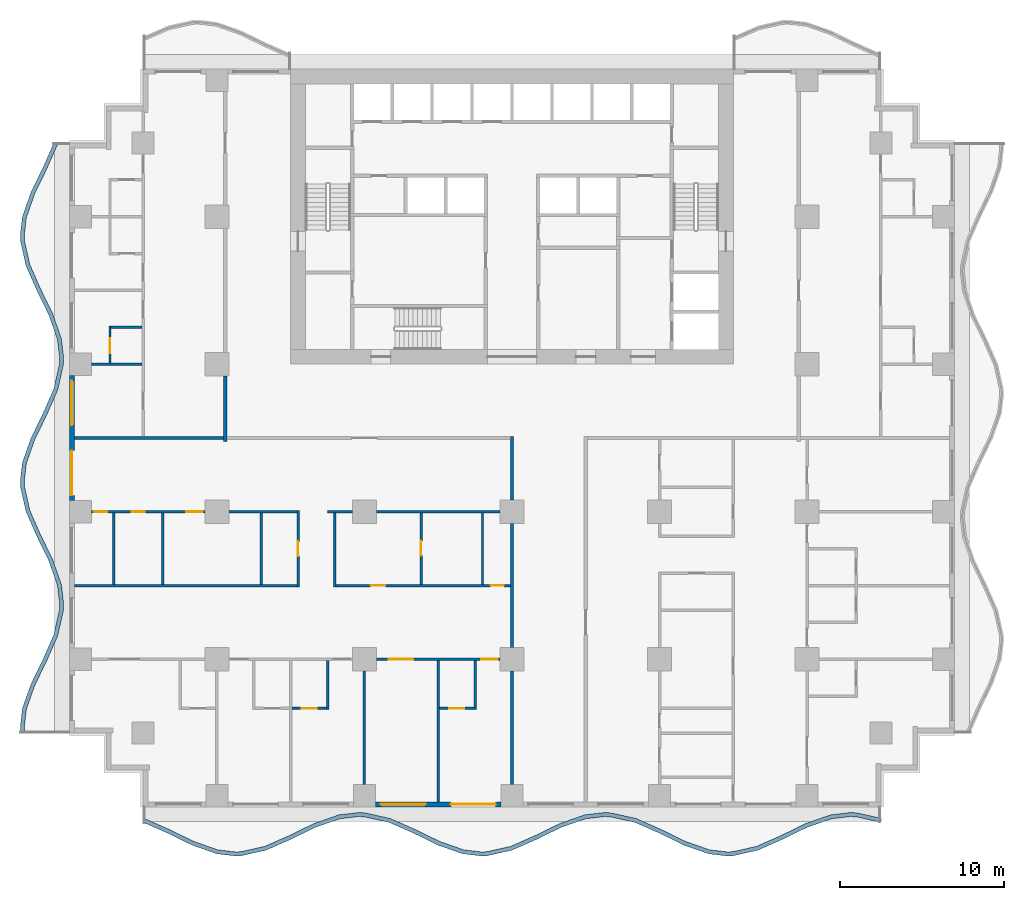
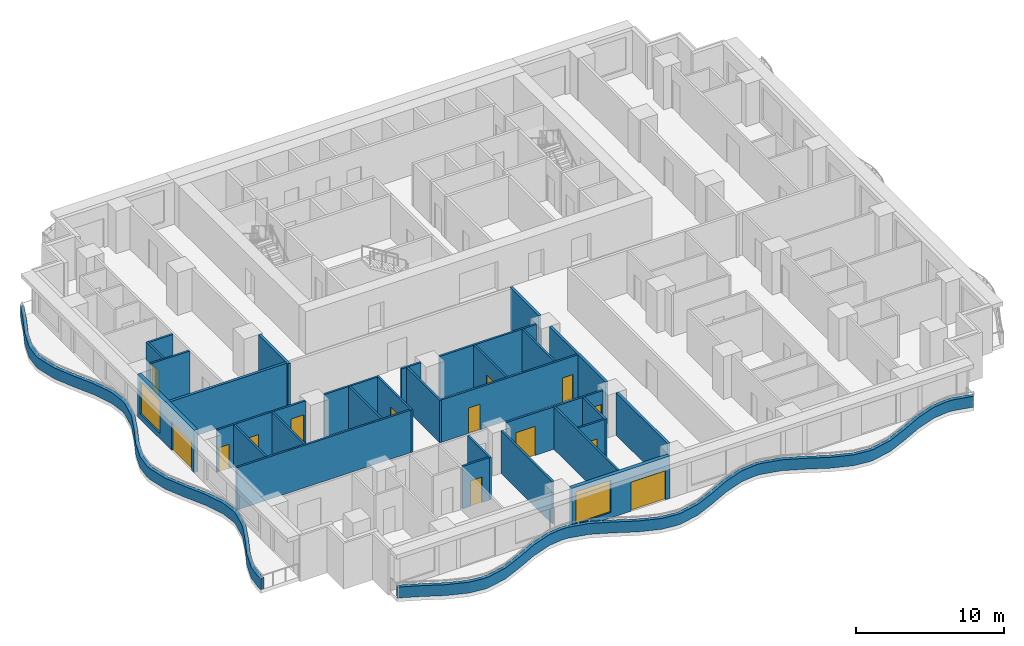
# One storey, part 2 of 14: 32 walls, 14 doors, 2 windows, 16 openings.
"""IFC4 building model written with IfcOpenShell, lengths in metres."""

import ifcopenshell
import ifcopenshell.guid

model = None  # the IFC model being written
_history = None  # IfcOwnerHistory: only IFC2X3 demands one
_inside = {}  # id of a spatial element -> (the spatial element, [elements in it])
_under = {}  # id of a project, library or spatial element -> (it, [spatial elements below it])
_declared = {}  # id of a project -> (the project, [libraries it declares])
_typed = {}  # id of a type object -> (the type object, [elements of that type])
_made_of = {}  # id of a material, layer set ... -> (it, [elements and type objects made of it])


def new_model(schema):
    """Start an empty IFC model of exactly this schema.

    Asked for "IFC4X3", IfcOpenShell would pick the latest addendum, in which some entities
    have other attributes; the version numbers below select the first issue.
    IFC2X3 requires an IfcOwnerHistory on every rooted entity: one is made here for all.
    """
    global model, _history
    if schema == "IFC4X3":
        model = ifcopenshell.file(schema_version=(4, 3, 0, 0))
    else:
        model = ifcopenshell.file(schema=schema)
    _inside.clear()
    _under.clear()
    _declared.clear()
    _typed.clear()
    _made_of.clear()
    _history = None
    if model.schema == "IFC2X3":
        org = make("IfcOrganization", Name="unknown")
        user = make(
            "IfcPersonAndOrganization",
            ThePerson=make("IfcPerson", FamilyName="unknown"),
            TheOrganization=org,
        )
        app = make(
            "IfcApplication",
            ApplicationDeveloper=org,
            Version="unknown",
            ApplicationFullName="unknown",
            ApplicationIdentifier="unknown",
        )
        _history = make(
            "IfcOwnerHistory",
            OwningUser=user,
            OwningApplication=app,
            ChangeAction="ADDED",
            CreationDate=0,
        )
    return model


def make(cls, **values):
    """One entity of the class cls with the attributes given. An attribute that is None is left unset."""
    return model.create_entity(
        cls, **{name: value for name, value in values.items() if value is not None}
    )


def rooted(cls, **values):
    """An entity with a GlobalId (a new one), such as an element, a storey or a relation."""
    return make(cls, GlobalId=ifcopenshell.guid.new(), OwnerHistory=_history, **values)


def si_unit(unit_type, name, prefix=None):
    """IfcSIUnit, for example si_unit("LENGTHUNIT", "METRE", prefix="MILLI")."""
    return make("IfcSIUnit", UnitType=unit_type, Prefix=prefix, Name=name)


def assignment(units):
    """IfcUnitAssignment: the units of a project."""
    return None if units is None else make("IfcUnitAssignment", Units=units)


def point(xyz):
    """IfcCartesianPoint."""
    return None if xyz is None else make("IfcCartesianPoint", Coordinates=xyz)


def direction(xyz):
    """IfcDirection."""
    return None if xyz is None else make("IfcDirection", DirectionRatios=xyz)


def frame(location, z_axis=None, x_axis=None):
    """IfcAxis2Placement3D, a coordinate frame: its origin and axes. An axis left out is left unset."""
    return make(
        "IfcAxis2Placement3D",
        Location=point(location),
        Axis=direction(z_axis),
        RefDirection=direction(x_axis),
    )


def frame_2d(location, x_axis=None):
    """IfcAxis2Placement2D, a coordinate frame in the plane: its origin and x axis."""
    return make(
        "IfcAxis2Placement2D", Location=point(location), RefDirection=direction(x_axis)
    )


def origin():
    """The frame at (0, 0, 0) with its axes left unset."""
    return frame((0.0, 0.0, 0.0))


def place(relative_to, where):
    """IfcLocalPlacement: puts the frame where relative to a parent placement (None: the world)."""
    return make(
        "IfcLocalPlacement", PlacementRelTo=relative_to, RelativePlacement=where
    )


def context(
    kind, dimensions, precision=None, world=None, true_north=None, identifier=None
):
    """IfcGeometricRepresentationContext, for example the 3D "Model" context."""
    return make(
        "IfcGeometricRepresentationContext",
        ContextIdentifier=identifier,
        ContextType=kind,
        CoordinateSpaceDimension=dimensions,
        Precision=precision,
        WorldCoordinateSystem=world,
        TrueNorth=true_north,
    )


def subcontext(parent, identifier, kind, view, scale=None):
    """IfcGeometricRepresentationSubContext, for example "Body" below "Model"."""
    return make(
        "IfcGeometricRepresentationSubContext",
        ContextIdentifier=identifier,
        ContextType=kind,
        ParentContext=parent,
        TargetScale=scale,
        TargetView=view,
    )


def project(units=None, contexts=None):
    """IfcProject with its units and contexts."""
    return rooted(
        "IfcProject",
        Name="project",
        RepresentationContexts=contexts,
        UnitsInContext=assignment(units),
    )


def spatial(cls, under=None, at=None, **own):
    """A site, building, storey or space (cls), placed at a placement, below another one or the project."""
    s = rooted(cls, ObjectPlacement=at, **own)
    if under is not None:
        _under.setdefault(under.id(), (under, []))[1].append(s)
    return s


def polyline(points):
    """IfcPolyline through the points."""
    return make("IfcPolyline", Points=[point(p) for p in points])


def profile(cls, at=None, kind="AREA", **sizes):
    """A parametric profile (cls). Its sizes go by their IFC names, for example OverallWidth=200.0."""
    return make(cls, ProfileType=kind, Position=at, **sizes)


def rectangle(**sizes):
    """IfcRectangleProfileDef."""
    return profile("IfcRectangleProfileDef", **sizes)


def outline(outer, holes=None, kind="AREA"):
    """IfcArbitraryClosedProfileDef: a profile drawn as a closed curve; with holes, ...WithVoids."""
    if holes is None:
        return make("IfcArbitraryClosedProfileDef", ProfileType=kind, OuterCurve=outer)
    return make(
        "IfcArbitraryProfileDefWithVoids",
        ProfileType=kind,
        OuterCurve=outer,
        InnerCurves=holes,
    )


def extrude(swept, where, along, depth):
    """IfcExtrudedAreaSolid: the profile swept, set in the frame where, extruded along a direction by depth."""
    return make(
        "IfcExtrudedAreaSolid",
        SweptArea=swept,
        Position=where,
        ExtrudedDirection=direction(along),
        Depth=depth,
    )


def shape(context_of_items, identifier, shape_type, items):
    """IfcShapeRepresentation: the items that make up one representation, for example the "Body"."""
    return make(
        "IfcShapeRepresentation",
        ContextOfItems=context_of_items,
        RepresentationIdentifier=identifier,
        RepresentationType=shape_type,
        Items=items,
    )


def material(Name=None, Category=None):
    """IfcMaterial."""
    return make("IfcMaterial", Name=Name, Category=Category)


def layer(
    of_material, thickness, ventilated=None, Name=None, Category=None, Priority=None
):
    """IfcMaterialLayer: one layer of a wall or slab, of a material (None: an air gap)."""
    return make(
        "IfcMaterialLayer",
        Material=of_material,
        LayerThickness=thickness,
        IsVentilated=ventilated,
        Name=Name,
        Category=Category,
        Priority=Priority,
    )


def layer_set(layers, Name=None):
    """IfcMaterialLayerSet."""
    return make("IfcMaterialLayerSet", MaterialLayers=layers, LayerSetName=Name)


def made_of(thing, what):
    """Note that an element or type object is made of a material, layer set ...; save() writes the relation."""
    if what is not None:
        _made_of.setdefault(what.id(), (what, []))[1].append(thing)
    return thing


def type_object(cls, material=None, **own):
    """A type object (cls), such as IfcWallType, which elements share."""
    return made_of(rooted(cls, **own), material)


def element(
    cls,
    number,
    at=None,
    inside=None,
    cuts=None,
    type_object=None,
    material=None,
    context=None,
    identifier="Body",
    shape_type=None,
    held_by="IfcProductDefinitionShape",
    body=None,
    shapes=None,
    **own,
):
    """One element of the class cls, such as IfcWall. Its Tag is "e" and its number.

    at: its placement. inside: the storey or other place that contains it. cuts: it is an
    opening in that element (IfcRelVoidsElement). A single representation is given by context,
    identifier, shape_type and body (its items); several are given by shapes. held_by: the class
    of the entity that holds the representations. save() writes the other relations.
    """
    e = rooted(cls, Tag="e%d" % number, ObjectPlacement=at, **own)
    if body is not None:
        shapes = [shape(context, identifier, shape_type, body)]
    if shapes is not None:
        e.Representation = make(held_by, Representations=shapes)
    if inside is not None:
        _inside.setdefault(inside.id(), (inside, []))[1].append(e)
    if cuts is not None:
        rooted(
            "IfcRelVoidsElement", RelatingBuildingElement=cuts, RelatedOpeningElement=e
        )
    if type_object is not None:
        _typed.setdefault(type_object.id(), (type_object, []))[1].append(e)
    return made_of(e, material)


def fill(opening, filler):
    """IfcRelFillsElement: the door or window that sits in an opening."""
    return rooted(
        "IfcRelFillsElement",
        RelatingOpeningElement=opening,
        RelatedBuildingElement=filler,
    )


def aggregate(whole, parts):
    """IfcRelAggregates: a whole, such as a stair, and the parts it consists of."""
    return rooted("IfcRelAggregates", RelatingObject=whole, RelatedObjects=parts)


def save(model, path):
    """Write the relations noted so far, then the file.

    IfcRelAggregates (storeys below a building ...), IfcRelContainedInSpatialStructure (elements
    in a storey), IfcRelDefinesByType, IfcRelAssociatesMaterial and IfcRelDeclares: one each for
    every whole, place, type object, material and project.
    """
    for whole, parts in _under.values():
        aggregate(whole, parts)
    for where, things in _inside.values():
        rooted(
            "IfcRelContainedInSpatialStructure",
            RelatedElements=things,
            RelatingStructure=where,
        )
    for kind, things in _typed.values():
        rooted("IfcRelDefinesByType", RelatedObjects=things, RelatingType=kind)
    for what, things in _made_of.values():
        rooted("IfcRelAssociatesMaterial", RelatedObjects=things, RelatingMaterial=what)
    for by, libraries in _declared.values():
        rooted("IfcRelDeclares", RelatingContext=by, RelatedDefinitions=libraries)
    model.write(path)


model = new_model("IFC4")

# Units and contexts
model_context = context("Model", 3, precision=1e-05, world=origin(), true_north=direction((0.0, 1.0)))
body_context = subcontext(model_context, "Body", "Model", "MODEL_VIEW")
ifc_project = project(units=[si_unit("LENGTHUNIT", "METRE"), si_unit("AREAUNIT", "SQUARE_METRE"), si_unit("VOLUMEUNIT", "CUBIC_METRE"), si_unit("PLANEANGLEUNIT", "RADIAN"), si_unit("MASSUNIT", "GRAM", prefix="KILO")], contexts=[model_context])

# Site, building, storey
site_placement = place(None, origin())
site = spatial("IfcSite", under=ifc_project, at=site_placement, CompositionType="ELEMENT")
building_placement = place(site_placement, origin())
building = spatial("IfcBuilding", under=site, at=building_placement, Name="Orbiselva Terraces", CompositionType="ELEMENT")
storey_placement = place(building_placement, frame((0.0, 0.0, 73.2)))
storey = spatial("IfcBuildingStorey", under=building, at=storey_placement, Name="L18", CompositionType="ELEMENT", Elevation=73.2)

# Walls
ifc_material_1 = material(Name="Concrete C40/50", Category="concrete")
ifc_layer_1 = layer(ifc_material_1, 0.25)
ifc_layer_set_1 = layer_set([ifc_layer_1], Name="Concrete C40/50")
wall_type_1 = type_object("IfcWallType", Name="ENV-PLANTER-250x900", PredefinedType="USERDEFINED", material=ifc_layer_set_1)
wall_1_placement = place(storey_placement, origin())
element("IfcWall", 1, at=wall_1_placement, inside=storey, type_object=wall_type_1, Name="Balcony planter L18 S", ObjectType="PLANTER", PredefinedType="USERDEFINED", context=body_context, shape_type="SweptSolid", body=[
    extrude(outline(polyline([(-22.5, -23.451472), (-21.0, -24.112279), (-19.5, -24.844789), (-18.0, -25.369208), (-16.875, -25.5), (-16.5, -25.485226), (-15.0, -25.148528), (-13.5, -24.487721), (-12.0, -23.755211), (-10.5, -23.230792), (-9.375, -23.1), (-9.0, -23.114774), (-7.5, -23.451472), (-6.0, -24.112279), (-4.5, -24.844789), (-3.0, -25.369208), (-1.875, -25.5), (-1.5, -25.485226), (0.0, -25.148528), (1.5, -24.487721), (3.0, -23.755211), (4.5, -23.230792), (5.625, -23.1), (6.0, -23.114774), (7.5, -23.451472), (9.0, -24.112279), (10.5, -24.844789), (12.0, -25.369208), (13.125, -25.5), (13.5, -25.485226), (15.0, -25.148528), (16.5, -24.487721), (18.0, -23.755211), (19.5, -23.230792), (20.625, -23.1), (21.0, -23.114774), (22.5, -23.451472), (22.554754, -23.207542), (21.032565, -22.865863), (20.615428, -22.849429), (19.443629, -22.985662), (17.90356, -23.524089), (16.394714, -24.260919), (14.921492, -24.90993), (13.467435, -25.236315), (13.134572, -25.249429), (12.056371, -25.124078), (10.59644, -24.613667), (9.105286, -23.885477), (7.578508, -23.212874), (6.032565, -22.865863), (5.615428, -22.849429), (4.443629, -22.985662), (2.90356, -23.524089), (1.394714, -24.260919), (-0.078508, -24.90993), (-1.532565, -25.236315), (-1.865428, -25.249429), (-2.943629, -25.124078), (-4.40356, -24.613667), (-5.894714, -23.885477), (-7.421492, -23.212874), (-8.967435, -22.865863), (-9.384572, -22.849429), (-10.556371, -22.985662), (-12.09644, -23.524089), (-13.605286, -24.260919), (-15.078508, -24.90993), (-16.532565, -25.236315), (-16.865428, -25.249429), (-17.943629, -25.124078), (-19.40356, -24.613667), (-20.894714, -23.885477), (-22.399212, -23.222689), (-22.5, -23.451472)])), origin(), (0.0, 0.0, 1.0), 0.9),
])
wall_2_placement = place(storey_placement, origin())
element("IfcWall", 2, at=wall_2_placement, inside=storey, type_object=wall_type_1, Name="Balcony planter L18 W", ObjectType="PLANTER", PredefinedType="USERDEFINED", context=body_context, shape_type="SweptSolid", body=[
    extrude(outline(polyline([(-27.951472, 18.0), (-28.612279, 16.5), (-29.344789, 15.0), (-29.869208, 13.5), (-30.0, 12.375), (-29.985226, 12.0), (-29.648528, 10.5), (-28.987721, 9.0), (-28.255211, 7.5), (-27.730792, 6.0), (-27.6, 4.875), (-27.614774, 4.5), (-27.951472, 3.0), (-28.612279, 1.5), (-29.344789, 0.0), (-29.869208, -1.5), (-30.0, -2.625), (-29.985226, -3.0), (-29.648528, -4.5), (-28.987721, -6.0), (-28.255211, -7.5), (-27.730792, -9.0), (-27.6, -10.125), (-27.614774, -10.5), (-27.951472, -12.0), (-28.612279, -13.5), (-29.344789, -15.0), (-29.869208, -16.5), (-30.0, -17.625), (-29.985226, -18.0), (-29.73542, -17.990158), (-29.749429, -17.634572), (-29.624078, -16.556371), (-29.113667, -15.09644), (-28.385477, -13.605286), (-27.712874, -12.078508), (-27.365863, -10.532565), (-27.349429, -10.115428), (-27.485662, -8.943629), (-28.024089, -7.40356), (-28.760919, -5.894714), (-29.40993, -4.421492), (-29.736315, -2.967435), (-29.749429, -2.634572), (-29.624078, -1.556371), (-29.113667, -0.09644), (-28.385477, 1.394714), (-27.712874, 2.921492), (-27.365863, 4.467435), (-27.349429, 4.884572), (-27.485662, 6.056371), (-28.024089, 7.59644), (-28.760919, 9.105286), (-29.40993, 10.578508), (-29.736315, 12.032565), (-29.749429, 12.365428), (-29.624078, 13.443629), (-29.113667, 14.90356), (-28.385477, 16.394714), (-27.722689, 17.899212), (-27.951472, 18.0)])), origin(), (0.0, 0.0, 1.0), 0.9),
])

# Wall, openings, door, window
ifc_material_2 = material(Name="Terracotta cladding on masonry backing", Category="masonry")
ifc_layer_2 = layer(ifc_material_2, 0.3)
ifc_layer_set_2 = layer_set([ifc_layer_2], Name="Terracotta cladding on masonry backing")
wall_type_2 = type_object("IfcWallType", Name="ENV-WALL-TERRACOTTA-300", PredefinedType="SOLIDWALL", material=ifc_layer_set_2)
wall_3_placement = place(storey_placement, frame((-0.675, -22.35, 0.0), z_axis=(0.0, 0.0, 1.0), x_axis=(-1.0, 0.0, 0.0)))
wall_3 = element("IfcWall", 3, at=wall_3_placement, inside=storey, type_object=wall_type_2, Name="Facade wall L18 S", PredefinedType="SOLIDWALL", context=body_context, shape_type="SweptSolid", body=[
    extrude(rectangle(XDim=7.65, YDim=0.3, at=frame_2d((3.825, 0.0))), origin(), (0.0, 0.0, 1.0), 3.5),
])
opening_1_placement = place(wall_3_placement, frame((4.6, 0.0, 0.45)))
opening_1 = element("IfcOpeningElement", 4, at=opening_1_placement, cuts=wall_3, Name="Opening WN5", PredefinedType="OPENING", context=body_context, shape_type="SweptSolid", body=[
    extrude(rectangle(XDim=2.725, YDim=2.65, at=frame_2d((1.3625, 1.325))), frame((0.0, 0.16, 0.0), z_axis=(0.0, -1.0, 0.0), x_axis=(1.0, 0.0, 0.0)), (0.0, 0.0, 1.0), 0.32),
])
opening_2_placement = place(wall_3_placement, frame((0.325, 0.0, 0.0)))
opening_2 = element("IfcOpeningElement", 5, at=opening_2_placement, cuts=wall_3, Name="Opening Z2-A-E02", PredefinedType="OPENING", context=body_context, shape_type="SweptSolid", body=[
    extrude(rectangle(XDim=2.725, YDim=2.4, at=frame_2d((1.3625, 1.2))), frame((0.0, 0.16, 0.0), z_axis=(0.0, -1.0, 0.0), x_axis=(1.0, 0.0, 0.0)), (0.0, 0.0, 1.0), 0.32),
])
ifc_material_3 = material(Name="Clear low-e glazing in aluminium frame", Category="aluminium")
door_type_1 = type_object("IfcDoorType", Name="BALCONY DOOR 2725 X 2400", OperationType="DOUBLE_DOOR_SLIDING", PredefinedType="DOOR", material=ifc_material_3)
door_1_placement = place(opening_2_placement, origin())
door_1 = element("IfcDoor", 6, at=door_1_placement, inside=storey, type_object=door_type_1, Name="Z2-A-E02", OperationType="SINGLE_SWING_LEFT", OverallHeight=2.4, OverallWidth=2.725, PredefinedType="DOOR", context=body_context, shape_type="SweptSolid", body=[
    extrude(rectangle(XDim=2.725, YDim=2.4, at=frame_2d((1.3625, 1.2))), frame((0.0, 0.025, 0.0), z_axis=(0.0, -1.0, 0.0), x_axis=(1.0, 0.0, 0.0)), (0.0, 0.0, 1.0), 0.05),
])
fill(opening_2, door_1)
window_type = type_object("IfcWindowType", Name="WINDOW 2725 X 2650 S450", PartitioningType="TRIPLE_PANEL_VERTICAL", PredefinedType="WINDOW", material=ifc_material_3)
window_1_placement = place(opening_1_placement, origin())
window_1 = element("IfcWindow", 7, at=window_1_placement, inside=storey, type_object=window_type, Name="Window L18 S", OverallHeight=2.65, OverallWidth=2.725, PartitioningType="SINGLE_PANEL", PredefinedType="WINDOW", context=body_context, shape_type="SweptSolid", body=[
    extrude(rectangle(XDim=2.725, YDim=2.65, at=frame_2d((1.3625, 1.325))), frame((0.0, 0.03, 0.0), z_axis=(0.0, -1.0, 0.0), x_axis=(1.0, 0.0, 0.0)), (0.0, 0.0, 1.0), 0.06),
])
fill(opening_1, window_1)

wall_4_placement = place(storey_placement, frame((-26.85, -3.825, 0.0), z_axis=(0.0, 0.0, 1.0), x_axis=(0.0, 1.0, 0.0)))
wall_4 = element("IfcWall", 8, at=wall_4_placement, inside=storey, type_object=wall_type_2, Name="Facade wall L18 W", PredefinedType="SOLIDWALL", context=body_context, shape_type="SweptSolid", body=[
    extrude(rectangle(XDim=7.65, YDim=0.3, at=frame_2d((3.825, 0.0))), origin(), (0.0, 0.0, 1.0), 3.5),
])
opening_3_placement = place(wall_4_placement, frame((4.6, 0.0, 0.45)))
opening_3 = element("IfcOpeningElement", 9, at=opening_3_placement, cuts=wall_4, Name="Opening WN5", PredefinedType="OPENING", context=body_context, shape_type="SweptSolid", body=[
    extrude(rectangle(XDim=2.725, YDim=2.65, at=frame_2d((1.3625, 1.325))), frame((0.0, 0.16, 0.0), z_axis=(0.0, -1.0, 0.0), x_axis=(1.0, 0.0, 0.0)), (0.0, 0.0, 1.0), 0.32),
])
opening_4_placement = place(wall_4_placement, frame((0.325, 0.0, 0.0)))
opening_4 = element("IfcOpeningElement", 10, at=opening_4_placement, cuts=wall_4, Name="Opening Z2-A-E11", PredefinedType="OPENING", context=body_context, shape_type="SweptSolid", body=[
    extrude(rectangle(XDim=2.725, YDim=2.4, at=frame_2d((1.3625, 1.2))), frame((0.0, 0.16, 0.0), z_axis=(0.0, -1.0, 0.0), x_axis=(1.0, 0.0, 0.0)), (0.0, 0.0, 1.0), 0.32),
])
door_2_placement = place(opening_4_placement, origin())
door_2 = element("IfcDoor", 11, at=door_2_placement, inside=storey, type_object=door_type_1, Name="Z2-A-E11", OperationType="SINGLE_SWING_LEFT", OverallHeight=2.4, OverallWidth=2.725, PredefinedType="DOOR", context=body_context, shape_type="SweptSolid", body=[
    extrude(rectangle(XDim=2.725, YDim=2.4, at=frame_2d((1.3625, 1.2))), frame((0.0, 0.025, 0.0), z_axis=(0.0, -1.0, 0.0), x_axis=(1.0, 0.0, 0.0)), (0.0, 0.0, 1.0), 0.05),
])
fill(opening_4, door_2)
window_2_placement = place(opening_3_placement, origin())
window_2 = element("IfcWindow", 12, at=window_2_placement, inside=storey, type_object=window_type, Name="Window L18 W", OverallHeight=2.65, OverallWidth=2.725, PartitioningType="SINGLE_PANEL", PredefinedType="WINDOW", context=body_context, shape_type="SweptSolid", body=[
    extrude(rectangle(XDim=2.725, YDim=2.65, at=frame_2d((1.3625, 1.325))), frame((0.0, 0.03, 0.0), z_axis=(0.0, -1.0, 0.0), x_axis=(1.0, 0.0, 0.0)), (0.0, 0.0, 1.0), 0.06),
])
fill(opening_3, window_2)

# Walls
ifc_material_4 = material(Name="Plasterboard on steel stud partition", Category="steel")
ifc_layer_3 = layer(ifc_material_4, 0.2)
ifc_layer_set_3 = layer_set([ifc_layer_3], Name="Plasterboard on steel stud partition")
wall_type_3 = type_object("IfcWallType", Name="UNIT-ENTRANCE-WALL-200", PredefinedType="PARTITIONING", material=ifc_layer_set_3)
wall_5_placement = place(storey_placement, frame((-17.5, -0.2, 0.0), z_axis=(0.0, 0.0, 1.0), x_axis=(0.0, 1.0, 0.0)))
element("IfcWall", 13, at=wall_5_placement, inside=storey, type_object=wall_type_3, Name="PARTITION L18-051", PredefinedType="PARTITIONING", context=body_context, shape_type="SweptSolid", body=[
    extrude(rectangle(XDim=3.975, YDim=0.2, at=frame_2d((1.9875, 0.0))), origin(), (0.0, 0.0, 1.0), 3.5),
])
wall_6_placement = place(storey_placement, frame((0.0, -21.15, 0.0), z_axis=(0.0, 0.0, 1.0), x_axis=(0.0, 1.0, 0.0)))
element("IfcWall", 14, at=wall_6_placement, inside=storey, type_object=wall_type_3, Name="PARTITION L18-065", PredefinedType="PARTITIONING", context=body_context, shape_type="SweptSolid", body=[
    extrude(rectangle(XDim=6.925, YDim=0.2, at=frame_2d((3.4625, 0.0))), origin(), (0.0, 0.0, 1.0), 3.5),
])
wall_7_placement = place(storey_placement, frame((0.0, -12.775, 0.0), z_axis=(0.0, 0.0, 1.0), x_axis=(0.0, 1.0, 0.0)))
element("IfcWall", 15, at=wall_7_placement, inside=storey, type_object=wall_type_3, Name="PARTITION L18-066", PredefinedType="PARTITIONING", context=body_context, shape_type="SweptSolid", body=[
    extrude(rectangle(XDim=7.55, YDim=0.2, at=frame_2d((3.775, 0.0))), origin(), (0.0, 0.0, 1.0), 3.5),
])
wall_8_placement = place(storey_placement, frame((0.0, -3.775, 0.0), z_axis=(0.0, 0.0, 1.0), x_axis=(0.0, 1.0, 0.0)))
element("IfcWall", 16, at=wall_8_placement, inside=storey, type_object=wall_type_3, Name="PARTITION L18-067", PredefinedType="PARTITIONING", context=body_context, shape_type="SweptSolid", body=[
    extrude(rectangle(XDim=3.875, YDim=0.2, at=frame_2d((1.9375, 0.0))), origin(), (0.0, 0.0, 1.0), 3.5),
])

# Wall, opening, door
ifc_layer_4 = layer(ifc_material_4, 0.15)
ifc_layer_set_4 = layer_set([ifc_layer_4], Name="Plasterboard on steel stud partition")
wall_type_4 = type_object("IfcWallType", Name="UNIT-PARTITION-150", PredefinedType="PARTITIONING", material=ifc_layer_set_4)
wall_9_placement = place(storey_placement, frame((-13.425, -16.5, 0.0), z_axis=(0.0, 0.0, 1.0), x_axis=(1.0, 0.0, 0.0)))
wall_9 = element("IfcWall", 17, at=wall_9_placement, inside=storey, type_object=wall_type_4, Name="PARTITION L18-005", PredefinedType="PARTITIONING", context=body_context, shape_type="SweptSolid", body=[
    extrude(rectangle(XDim=2.1, YDim=0.15, at=frame_2d((1.05, 0.0))), origin(), (0.0, 0.0, 1.0), 3.5),
])
opening_5_placement = place(wall_9_placement, frame((0.6, 0.0, 0.0)))
opening_5 = element("IfcOpeningElement", 18, at=opening_5_placement, cuts=wall_9, Name="Opening Z2-A-28", PredefinedType="OPENING", context=body_context, shape_type="SweptSolid", body=[
    extrude(rectangle(XDim=0.9, YDim=2.1, at=frame_2d((0.45, 1.05))), frame((0.0, 0.085, 0.0), z_axis=(0.0, -1.0, 0.0), x_axis=(1.0, 0.0, 0.0)), (0.0, 0.0, 1.0), 0.17),
])
ifc_material_5 = material(Name="Painted timber door leaf", Category="wood")
door_type_2 = type_object("IfcDoorType", Name="BATH DOOR 900", OperationType="NOTDEFINED", PredefinedType="DOOR", material=ifc_material_5)
door_3_placement = place(opening_5_placement, origin())
door_3 = element("IfcDoor", 19, at=door_3_placement, inside=storey, type_object=door_type_2, Name="Z2-A-28", OperationType="SINGLE_SWING_LEFT", OverallHeight=2.1, OverallWidth=0.9, PredefinedType="DOOR", context=body_context, shape_type="SweptSolid", body=[
    extrude(rectangle(XDim=0.9, YDim=2.1, at=frame_2d((0.45, 1.05))), frame((0.0, 0.025, 0.0), z_axis=(0.0, -1.0, 0.0), x_axis=(1.0, 0.0, 0.0)), (0.0, 0.0, 1.0), 0.05),
])
fill(opening_5, door_3)

wall_10_placement = place(storey_placement, frame((-4.425, -16.5, 0.0), z_axis=(0.0, 0.0, 1.0), x_axis=(1.0, 0.0, 0.0)))
wall_10 = element("IfcWall", 20, at=wall_10_placement, inside=storey, type_object=wall_type_4, Name="PARTITION L18-006", PredefinedType="PARTITIONING", context=body_context, shape_type="SweptSolid", body=[
    extrude(rectangle(XDim=2.1, YDim=0.15, at=frame_2d((1.05, 0.0))), origin(), (0.0, 0.0, 1.0), 3.5),
])
opening_6_placement = place(wall_10_placement, frame((0.6, 0.0, 0.0)))
opening_6 = element("IfcOpeningElement", 21, at=opening_6_placement, cuts=wall_10, Name="Opening Z2-A-31", PredefinedType="OPENING", context=body_context, shape_type="SweptSolid", body=[
    extrude(rectangle(XDim=0.9, YDim=2.1, at=frame_2d((0.45, 1.05))), frame((0.0, 0.085, 0.0), z_axis=(0.0, -1.0, 0.0), x_axis=(1.0, 0.0, 0.0)), (0.0, 0.0, 1.0), 0.17),
])
door_4_placement = place(opening_6_placement, origin())
door_4 = element("IfcDoor", 22, at=door_4_placement, inside=storey, type_object=door_type_2, Name="Z2-A-31", OperationType="SINGLE_SWING_RIGHT", OverallHeight=2.1, OverallWidth=0.9, PredefinedType="DOOR", context=body_context, shape_type="SweptSolid", body=[
    extrude(rectangle(XDim=0.9, YDim=2.1, at=frame_2d((0.45, 1.05))), frame((0.0, 0.025, 0.0), z_axis=(0.0, -1.0, 0.0), x_axis=(1.0, 0.0, 0.0)), (0.0, 0.0, 1.0), 0.05),
])
fill(opening_6, door_4)

# Wall, openings, doors
wall_11_placement = place(storey_placement, frame((-0.725, -13.5, 0.0), z_axis=(0.0, 0.0, 1.0), x_axis=(-1.0, 0.0, 0.0)))
wall_11 = element("IfcWall", 23, at=wall_11_placement, inside=storey, type_object=wall_type_4, Name="PARTITION L18-011", PredefinedType="PARTITIONING", context=body_context, shape_type="SweptSolid", body=[
    extrude(rectangle(XDim=7.55, YDim=0.15, at=frame_2d((3.775, 0.0))), origin(), (0.0, 0.0, 1.0), 3.5),
])
opening_7_placement = place(wall_11_placement, frame((5.3, 0.0, 0.0)))
opening_7 = element("IfcOpeningElement", 24, at=opening_7_placement, cuts=wall_11, Name="Opening Z2-A-29", PredefinedType="OPENING", context=body_context, shape_type="SweptSolid", body=[
    extrude(rectangle(XDim=1.5, YDim=2.4, at=frame_2d((0.75, 1.2))), frame((0.0, 0.085, 0.0), z_axis=(0.0, -1.0, 0.0), x_axis=(1.0, 0.0, 0.0)), (0.0, 0.0, 1.0), 0.17),
])
opening_8_placement = place(wall_11_placement, frame((0.15, 0.0, 0.0)))
opening_8 = element("IfcOpeningElement", 25, at=opening_8_placement, cuts=wall_11, Name="Opening Z2-A-30", PredefinedType="OPENING", context=body_context, shape_type="SweptSolid", body=[
    extrude(rectangle(XDim=1.0, YDim=2.4, at=frame_2d((0.5, 1.2))), frame((0.0, 0.085, 0.0), z_axis=(0.0, -1.0, 0.0), x_axis=(1.0, 0.0, 0.0)), (0.0, 0.0, 1.0), 0.17),
])
door_type_3 = type_object("IfcDoorType", Name="DOUBLE DOOR 1500", OperationType="NOTDEFINED", PredefinedType="DOOR", material=ifc_material_5)
door_5_placement = place(opening_7_placement, origin())
door_5 = element("IfcDoor", 26, at=door_5_placement, inside=storey, type_object=door_type_3, Name="Z2-A-29", OperationType="DOUBLE_DOOR_SINGLE_SWING", OverallHeight=2.4, OverallWidth=1.5, PredefinedType="DOOR", context=body_context, shape_type="SweptSolid", body=[
    extrude(rectangle(XDim=1.5, YDim=2.4, at=frame_2d((0.75, 1.2))), frame((0.0, 0.025, 0.0), z_axis=(0.0, -1.0, 0.0), x_axis=(1.0, 0.0, 0.0)), (0.0, 0.0, 1.0), 0.05),
])
fill(opening_7, door_5)
door_type_4 = type_object("IfcDoorType", Name="ROOM DOOR 1000", OperationType="NOTDEFINED", PredefinedType="DOOR", material=ifc_material_5)
door_6_placement = place(opening_8_placement, origin())
door_6 = element("IfcDoor", 27, at=door_6_placement, inside=storey, type_object=door_type_4, Name="Z2-A-30", OperationType="SINGLE_SWING_LEFT", OverallHeight=2.4, OverallWidth=1.0, PredefinedType="DOOR", context=body_context, shape_type="SweptSolid", body=[
    extrude(rectangle(XDim=1.0, YDim=2.4, at=frame_2d((0.5, 1.2))), frame((0.0, 0.025, 0.0), z_axis=(0.0, -1.0, 0.0), x_axis=(1.0, 0.0, 0.0)), (0.0, 0.0, 1.0), 0.05),
])
fill(opening_8, door_6)

# Wall
wall_12_placement = place(storey_placement, frame((-26.7, -9.0, 0.0), z_axis=(0.0, 0.0, 1.0), x_axis=(1.0, 0.0, 0.0)))
element("IfcWall", 28, at=wall_12_placement, inside=storey, type_object=wall_type_4, Name="PARTITION L18-015", PredefinedType="PARTITIONING", context=body_context, shape_type="SweptSolid", body=[
    extrude(rectangle(XDim=13.575, YDim=0.15, at=frame_2d((6.7875, 0.0))), origin(), (0.0, 0.0, 1.0), 3.5),
])

# Wall, openings, doors
wall_13_placement = place(storey_placement, frame((-10.725, -9.0, 0.0), z_axis=(0.0, 0.0, 1.0), x_axis=(1.0, 0.0, 0.0)))
wall_13 = element("IfcWall", 29, at=wall_13_placement, inside=storey, type_object=wall_type_4, Name="PARTITION L18-016", PredefinedType="PARTITIONING", context=body_context, shape_type="SweptSolid", body=[
    extrude(rectangle(XDim=10.625, YDim=0.15, at=frame_2d((5.3125, 0.0))), origin(), (0.0, 0.0, 1.0), 3.5),
])
opening_9_placement = place(wall_13_placement, frame((2.1, 0.0, 0.0)))
opening_9 = element("IfcOpeningElement", 30, at=opening_9_placement, cuts=wall_13, Name="Opening Z2-A-20", PredefinedType="OPENING", context=body_context, shape_type="SweptSolid", body=[
    extrude(rectangle(XDim=0.9, YDim=2.1, at=frame_2d((0.45, 1.05))), frame((0.0, 0.085, 0.0), z_axis=(0.0, -1.0, 0.0), x_axis=(1.0, 0.0, 0.0)), (0.0, 0.0, 1.0), 0.17),
])
opening_10_placement = place(wall_13_placement, frame((9.425, 0.0, 0.0)))
opening_10 = element("IfcOpeningElement", 31, at=opening_10_placement, cuts=wall_13, Name="Opening Z2-A-22", PredefinedType="OPENING", context=body_context, shape_type="SweptSolid", body=[
    extrude(rectangle(XDim=0.8, YDim=2.0, at=frame_2d((0.4, 1.0))), frame((0.0, 0.085, 0.0), z_axis=(0.0, -1.0, 0.0), x_axis=(1.0, 0.0, 0.0)), (0.0, 0.0, 1.0), 0.17),
])
door_type_5 = type_object("IfcDoorType", Name="SERVICE DOOR 900", OperationType="NOTDEFINED", PredefinedType="DOOR", material=ifc_material_5)
door_7_placement = place(opening_9_placement, origin())
door_7 = element("IfcDoor", 32, at=door_7_placement, inside=storey, type_object=door_type_5, Name="Z2-A-20", OperationType="SINGLE_SWING_LEFT", OverallHeight=2.1, OverallWidth=0.9, PredefinedType="DOOR", context=body_context, shape_type="SweptSolid", body=[
    extrude(rectangle(XDim=0.9, YDim=2.1, at=frame_2d((0.45, 1.05))), frame((0.0, 0.025, 0.0), z_axis=(0.0, -1.0, 0.0), x_axis=(1.0, 0.0, 0.0)), (0.0, 0.0, 1.0), 0.05),
])
fill(opening_9, door_7)
door_type_6 = type_object("IfcDoorType", Name="STORE DOOR 800", OperationType="NOTDEFINED", PredefinedType="DOOR", material=ifc_material_5)
door_8_placement = place(opening_10_placement, origin())
door_8 = element("IfcDoor", 33, at=door_8_placement, inside=storey, type_object=door_type_6, Name="Z2-A-22", OperationType="SINGLE_SWING_RIGHT", OverallHeight=2.0, OverallWidth=0.8, PredefinedType="DOOR", context=body_context, shape_type="SweptSolid", body=[
    extrude(rectangle(XDim=0.8, YDim=2.0, at=frame_2d((0.4, 1.0))), frame((0.0, 0.025, 0.0), z_axis=(0.0, -1.0, 0.0), x_axis=(1.0, 0.0, 0.0)), (0.0, 0.0, 1.0), 0.05),
])
fill(opening_10, door_8)

wall_14_placement = place(storey_placement, frame((-18.725, -4.5, 0.0), z_axis=(0.0, 0.0, 1.0), x_axis=(-1.0, 0.0, 0.0)))
wall_14 = element("IfcWall", 34, at=wall_14_placement, inside=storey, type_object=wall_type_4, Name="PARTITION L18-022", PredefinedType="PARTITIONING", context=body_context, shape_type="SweptSolid", body=[
    extrude(rectangle(XDim=6.925, YDim=0.15, at=frame_2d((3.4625, 0.0))), origin(), (0.0, 0.0, 1.0), 3.5),
])
opening_11_placement = place(wall_14_placement, frame((5.975, 0.0, 0.0)))
opening_11 = element("IfcOpeningElement", 35, at=opening_11_placement, cuts=wall_14, Name="Opening Z2-A-16", PredefinedType="OPENING", context=body_context, shape_type="SweptSolid", body=[
    extrude(rectangle(XDim=0.8, YDim=2.0, at=frame_2d((0.4, 1.0))), frame((0.0, 0.085, 0.0), z_axis=(0.0, -1.0, 0.0), x_axis=(1.0, 0.0, 0.0)), (0.0, 0.0, 1.0), 0.17),
])
opening_12_placement = place(wall_14_placement, frame((3.675, 0.0, 0.0)))
opening_12 = element("IfcOpeningElement", 36, at=opening_12_placement, cuts=wall_14, Name="Opening Z2-A-17", PredefinedType="OPENING", context=body_context, shape_type="SweptSolid", body=[
    extrude(rectangle(XDim=0.8, YDim=2.0, at=frame_2d((0.4, 1.0))), frame((0.0, 0.085, 0.0), z_axis=(0.0, -1.0, 0.0), x_axis=(1.0, 0.0, 0.0)), (0.0, 0.0, 1.0), 0.17),
])
opening_13_placement = place(wall_14_placement, frame((0.15, 0.0, 0.0)))
opening_13 = element("IfcOpeningElement", 37, at=opening_13_placement, cuts=wall_14, Name="Opening Z2-A-18", PredefinedType="OPENING", context=body_context, shape_type="SweptSolid", body=[
    extrude(rectangle(XDim=1.0, YDim=2.4, at=frame_2d((0.5, 1.2))), frame((0.0, 0.085, 0.0), z_axis=(0.0, -1.0, 0.0), x_axis=(1.0, 0.0, 0.0)), (0.0, 0.0, 1.0), 0.17),
])
door_9_placement = place(opening_13_placement, origin())
door_9 = element("IfcDoor", 38, at=door_9_placement, inside=storey, type_object=door_type_4, Name="Z2-A-18", OperationType="SINGLE_SWING_LEFT", OverallHeight=2.4, OverallWidth=1.0, PredefinedType="DOOR", context=body_context, shape_type="SweptSolid", body=[
    extrude(rectangle(XDim=1.0, YDim=2.4, at=frame_2d((0.5, 1.2))), frame((0.0, 0.025, 0.0), z_axis=(0.0, -1.0, 0.0), x_axis=(1.0, 0.0, 0.0)), (0.0, 0.0, 1.0), 0.05),
])
fill(opening_13, door_9)
door_10_placement = place(opening_11_placement, origin())
door_10 = element("IfcDoor", 39, at=door_10_placement, inside=storey, type_object=door_type_6, Name="Z2-A-16", OperationType="SINGLE_SWING_RIGHT", OverallHeight=2.0, OverallWidth=0.8, PredefinedType="DOOR", context=body_context, shape_type="SweptSolid", body=[
    extrude(rectangle(XDim=0.8, YDim=2.0, at=frame_2d((0.4, 1.0))), frame((0.0, 0.025, 0.0), z_axis=(0.0, -1.0, 0.0), x_axis=(1.0, 0.0, 0.0)), (0.0, 0.0, 1.0), 0.05),
])
fill(opening_11, door_10)
door_11_placement = place(opening_12_placement, origin())
door_11 = element("IfcDoor", 40, at=door_11_placement, inside=storey, type_object=door_type_6, Name="Z2-A-17", OperationType="SINGLE_SWING_RIGHT", OverallHeight=2.0, OverallWidth=0.8, PredefinedType="DOOR", context=body_context, shape_type="SweptSolid", body=[
    extrude(rectangle(XDim=0.8, YDim=2.0, at=frame_2d((0.4, 1.0))), frame((0.0, 0.025, 0.0), z_axis=(0.0, -1.0, 0.0), x_axis=(1.0, 0.0, 0.0)), (0.0, 0.0, 1.0), 0.05),
])
fill(opening_12, door_11)

# Walls
wall_15_placement = place(storey_placement, frame((-17.275, -4.5, 0.0), z_axis=(0.0, 0.0, 1.0), x_axis=(1.0, 0.0, 0.0)))
element("IfcWall", 41, at=wall_15_placement, inside=storey, type_object=wall_type_4, Name="PARTITION L18-023", PredefinedType="PARTITIONING", context=body_context, shape_type="SweptSolid", body=[
    extrude(rectangle(XDim=4.15, YDim=0.15, at=frame_2d((2.075, 0.0))), origin(), (0.0, 0.0, 1.0), 3.5),
])
wall_16_placement = place(storey_placement, frame((-11.25, -4.5, 0.0), z_axis=(0.0, 0.0, 1.0), x_axis=(1.0, 0.0, 0.0)))
element("IfcWall", 42, at=wall_16_placement, inside=storey, type_object=wall_type_4, Name="PARTITION L18-024", PredefinedType="PARTITIONING", context=body_context, shape_type="SweptSolid", body=[
    extrude(rectangle(XDim=1.525, YDim=0.15, at=frame_2d((0.7625, 0.0))), origin(), (0.0, 0.0, 1.0), 3.5),
])
wall_17_placement = place(storey_placement, frame((-8.275, -4.5, 0.0), z_axis=(0.0, 0.0, 1.0), x_axis=(1.0, 0.0, 0.0)))
element("IfcWall", 43, at=wall_17_placement, inside=storey, type_object=wall_type_4, Name="PARTITION L18-025", PredefinedType="PARTITIONING", context=body_context, shape_type="SweptSolid", body=[
    extrude(rectangle(XDim=7.55, YDim=0.15, at=frame_2d((3.775, 0.0))), origin(), (0.0, 0.0, 1.0), 3.5),
])
wall_18_placement = place(storey_placement, frame((-25.65, 4.5, 0.0), z_axis=(0.0, 0.0, 1.0), x_axis=(1.0, 0.0, 0.0)))
element("IfcWall", 44, at=wall_18_placement, inside=storey, type_object=wall_type_4, Name="PARTITION L18-032", PredefinedType="PARTITIONING", context=body_context, shape_type="SweptSolid", body=[
    extrude(rectangle(XDim=3.075, YDim=0.15, at=frame_2d((1.5375, 0.0))), origin(), (0.0, 0.0, 1.0), 3.5),
])
wall_19_placement = place(storey_placement, frame((-24.45, 6.75, 0.0), z_axis=(0.0, 0.0, 1.0), x_axis=(1.0, 0.0, 0.0)))
element("IfcWall", 45, at=wall_19_placement, inside=storey, type_object=wall_type_4, Name="PARTITION L18-034", PredefinedType="PARTITIONING", context=body_context, shape_type="SweptSolid", body=[
    extrude(rectangle(XDim=1.875, YDim=0.15, at=frame_2d((0.9375, 0.0))), origin(), (0.0, 0.0, 1.0), 3.5),
])

# Wall, opening, door
wall_20_placement = place(storey_placement, frame((-24.525, 6.825, 0.0), z_axis=(0.0, 0.0, 1.0), x_axis=(0.0, -1.0, 0.0)))
wall_20 = element("IfcWall", 46, at=wall_20_placement, inside=storey, type_object=wall_type_4, Name="PARTITION L18-043", PredefinedType="PARTITIONING", context=body_context, shape_type="SweptSolid", body=[
    extrude(rectangle(XDim=2.25, YDim=0.15, at=frame_2d((1.125, 0.0))), origin(), (0.0, 0.0, 1.0), 3.5),
])
opening_14_placement = place(wall_20_placement, frame((0.75, 0.0, 0.0)))
opening_14 = element("IfcOpeningElement", 47, at=opening_14_placement, cuts=wall_20, Name="Opening Z2-A-04", PredefinedType="OPENING", context=body_context, shape_type="SweptSolid", body=[
    extrude(rectangle(XDim=0.9, YDim=2.1, at=frame_2d((0.45, 1.05))), frame((0.0, 0.085, 0.0), z_axis=(0.0, -1.0, 0.0), x_axis=(1.0, 0.0, 0.0)), (0.0, 0.0, 1.0), 0.17),
])
door_12_placement = place(opening_14_placement, origin())
door_12 = element("IfcDoor", 48, at=door_12_placement, inside=storey, type_object=door_type_2, Name="Z2-A-04", OperationType="SINGLE_SWING_RIGHT", OverallHeight=2.1, OverallWidth=0.9, PredefinedType="DOOR", context=body_context, shape_type="SweptSolid", body=[
    extrude(rectangle(XDim=0.9, YDim=2.1, at=frame_2d((0.45, 1.05))), frame((0.0, 0.025, 0.0), z_axis=(0.0, -1.0, 0.0), x_axis=(1.0, 0.0, 0.0)), (0.0, 0.0, 1.0), 0.05),
])
fill(opening_14, door_12)

# Walls
for number, where, z_axis, x_axis, name in (
    (49, (-24.3, -8.925, 0.0), (0.0, 0.0, 1.0), (0.0, 1.0, 0.0), "PARTITION L18-045"),
    (50, (-21.3, -8.925, 0.0), (0.0, 0.0, 1.0), (0.0, 1.0, 0.0), "PARTITION L18-048"),
    (51, (-15.3, -8.925, 0.0), (0.0, 0.0, 1.0), (0.0, 1.0, 0.0), "PARTITION L18-055"),
):
    element("IfcWall", number, at=place(storey_placement, frame(where, z_axis=z_axis, x_axis=x_axis)), inside=storey, type_object=wall_type_4, Name=name, PredefinedType="PARTITIONING", context=body_context, shape_type="SweptSolid", body=[
        extrude(rectangle(XDim=4.35, YDim=0.15, at=frame_2d((2.175, 0.0))), origin(), (0.0, 0.0, 1.0), 3.5),
    ])

# Wall, opening, door
wall_21_placement = place(storey_placement, frame((-13.05, -9.075, 0.0), z_axis=(0.0, 0.0, 1.0), x_axis=(0.0, 1.0, 0.0)))
wall_21 = element("IfcWall", 52, at=wall_21_placement, inside=storey, type_object=wall_type_4, Name="PARTITION L18-057", PredefinedType="PARTITIONING", context=body_context, shape_type="SweptSolid", body=[
    extrude(rectangle(XDim=4.65, YDim=0.15, at=frame_2d((2.325, 0.0))), origin(), (0.0, 0.0, 1.0), 3.5),
])
opening_15_placement = place(wall_21_placement, frame((1.875, 0.0, 0.0)))
opening_15 = element("IfcOpeningElement", 53, at=opening_15_placement, cuts=wall_21, Name="Opening Z2-A-19", PredefinedType="OPENING", context=body_context, shape_type="SweptSolid", body=[
    extrude(rectangle(XDim=0.9, YDim=2.1, at=frame_2d((0.45, 1.05))), frame((0.0, 0.085, 0.0), z_axis=(0.0, -1.0, 0.0), x_axis=(1.0, 0.0, 0.0)), (0.0, 0.0, 1.0), 0.17),
])
door_13_placement = place(opening_15_placement, origin())
door_13 = element("IfcDoor", 54, at=door_13_placement, inside=storey, type_object=door_type_2, Name="Z2-A-19", OperationType="SINGLE_SWING_LEFT", OverallHeight=2.1, OverallWidth=0.9, PredefinedType="DOOR", context=body_context, shape_type="SweptSolid", body=[
    extrude(rectangle(XDim=0.9, YDim=2.1, at=frame_2d((0.45, 1.05))), frame((0.0, 0.025, 0.0), z_axis=(0.0, -1.0, 0.0), x_axis=(1.0, 0.0, 0.0)), (0.0, 0.0, 1.0), 0.05),
])
fill(opening_15, door_13)

# Walls
wall_22_placement = place(storey_placement, frame((-11.25, -16.575, 0.0), z_axis=(0.0, 0.0, 1.0), x_axis=(0.0, 1.0, 0.0)))
element("IfcWall", 55, at=wall_22_placement, inside=storey, type_object=wall_type_4, Name="PARTITION L18-058", PredefinedType="PARTITIONING", context=body_context, shape_type="SweptSolid", body=[
    extrude(rectangle(XDim=3.0, YDim=0.15, at=frame_2d((1.5, 0.0))), origin(), (0.0, 0.0, 1.0), 3.5),
])
wall_23_placement = place(storey_placement, frame((-10.8, -9.075, 0.0), z_axis=(0.0, 0.0, 1.0), x_axis=(0.0, 1.0, 0.0)))
element("IfcWall", 56, at=wall_23_placement, inside=storey, type_object=wall_type_4, Name="PARTITION L18-059", PredefinedType="PARTITIONING", context=body_context, shape_type="SweptSolid", body=[
    extrude(rectangle(XDim=4.5, YDim=0.15, at=frame_2d((2.25, 0.0))), origin(), (0.0, 0.0, 1.0), 3.5),
])
wall_24_placement = place(storey_placement, frame((-9.0, -21.15, 0.0), z_axis=(0.0, 0.0, 1.0), x_axis=(0.0, 1.0, 0.0)))
element("IfcWall", 57, at=wall_24_placement, inside=storey, type_object=wall_type_4, Name="PARTITION L18-060", PredefinedType="PARTITIONING", context=body_context, shape_type="SweptSolid", body=[
    extrude(rectangle(XDim=6.925, YDim=0.15, at=frame_2d((3.4625, 0.0))), origin(), (0.0, 0.0, 1.0), 3.5),
])

# Wall, opening, door
wall_25_placement = place(storey_placement, frame((-5.55, -4.575, 0.0), z_axis=(0.0, 0.0, 1.0), x_axis=(0.0, -1.0, 0.0)))
wall_25 = element("IfcWall", 58, at=wall_25_placement, inside=storey, type_object=wall_type_4, Name="PARTITION L18-061", PredefinedType="PARTITIONING", context=body_context, shape_type="SweptSolid", body=[
    extrude(rectangle(XDim=4.35, YDim=0.15, at=frame_2d((2.175, 0.0))), origin(), (0.0, 0.0, 1.0), 3.5),
])
opening_16_placement = place(wall_25_placement, frame((1.7, 0.0, 0.0)))
opening_16 = element("IfcOpeningElement", 59, at=opening_16_placement, cuts=wall_25, Name="Opening Z2-A-21", PredefinedType="OPENING", context=body_context, shape_type="SweptSolid", body=[
    extrude(rectangle(XDim=0.9, YDim=2.1, at=frame_2d((0.45, 1.05))), frame((0.0, 0.085, 0.0), z_axis=(0.0, -1.0, 0.0), x_axis=(1.0, 0.0, 0.0)), (0.0, 0.0, 1.0), 0.17),
])
door_14_placement = place(opening_16_placement, origin())
door_14 = element("IfcDoor", 60, at=door_14_placement, inside=storey, type_object=door_type_2, Name="Z2-A-21", OperationType="SINGLE_SWING_LEFT", OverallHeight=2.1, OverallWidth=0.9, PredefinedType="DOOR", context=body_context, shape_type="SweptSolid", body=[
    extrude(rectangle(XDim=0.9, YDim=2.1, at=frame_2d((0.45, 1.05))), frame((0.0, 0.025, 0.0), z_axis=(0.0, -1.0, 0.0), x_axis=(1.0, 0.0, 0.0)), (0.0, 0.0, 1.0), 0.05),
])
fill(opening_16, door_14)

# Walls
wall_26_placement = place(storey_placement, frame((-4.5, -22.2, 0.0), z_axis=(0.0, 0.0, 1.0), x_axis=(0.0, 1.0, 0.0)))
element("IfcWall", 61, at=wall_26_placement, inside=storey, type_object=wall_type_4, Name="PARTITION L18-062", PredefinedType="PARTITIONING", context=body_context, shape_type="SweptSolid", body=[
    extrude(rectangle(XDim=8.625, YDim=0.15, at=frame_2d((4.3125, 0.0))), origin(), (0.0, 0.0, 1.0), 3.5),
])
wall_27_placement = place(storey_placement, frame((-2.25, -16.575, 0.0), z_axis=(0.0, 0.0, 1.0), x_axis=(0.0, 1.0, 0.0)))
element("IfcWall", 62, at=wall_27_placement, inside=storey, type_object=wall_type_4, Name="PARTITION L18-063", PredefinedType="PARTITIONING", context=body_context, shape_type="SweptSolid", body=[
    extrude(rectangle(XDim=3.0, YDim=0.15, at=frame_2d((1.5, 0.0))), origin(), (0.0, 0.0, 1.0), 3.5),
])
wall_28_placement = place(storey_placement, frame((-1.8, -8.925, 0.0), z_axis=(0.0, 0.0, 1.0), x_axis=(0.0, 1.0, 0.0)))
element("IfcWall", 63, at=wall_28_placement, inside=storey, type_object=wall_type_4, Name="PARTITION L18-064", PredefinedType="PARTITIONING", context=body_context, shape_type="SweptSolid", body=[
    extrude(rectangle(XDim=4.35, YDim=0.15, at=frame_2d((2.175, 0.0))), origin(), (0.0, 0.0, 1.0), 3.5),
])
ifc_layer_5 = layer(ifc_material_4, 0.2)
ifc_layer_set_5 = layer_set([ifc_layer_5], Name="Plasterboard on steel stud partition")
wall_type_5 = type_object("IfcWallType", Name="UNIT-PARTY-WALL-200", PredefinedType="PARTITIONING", material=ifc_layer_set_5)
wall_29_placement = place(storey_placement, frame((-26.7, 0.0, 0.0), z_axis=(0.0, 0.0, 1.0), x_axis=(1.0, 0.0, 0.0)))
element("IfcWall", 64, at=wall_29_placement, inside=storey, type_object=wall_type_5, Name="PARTITION L18-030", PredefinedType="PARTITIONING", context=body_context, shape_type="SweptSolid", body=[
    extrude(rectangle(XDim=9.1, YDim=0.2, at=frame_2d((4.55, 0.0))), origin(), (0.0, 0.0, 1.0), 3.5),
])

save(model, "model.ifc")
